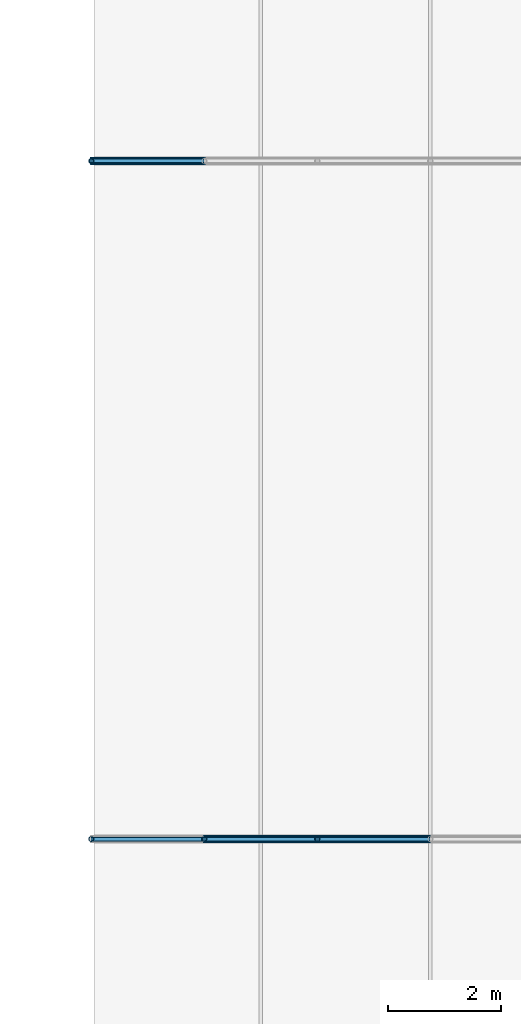
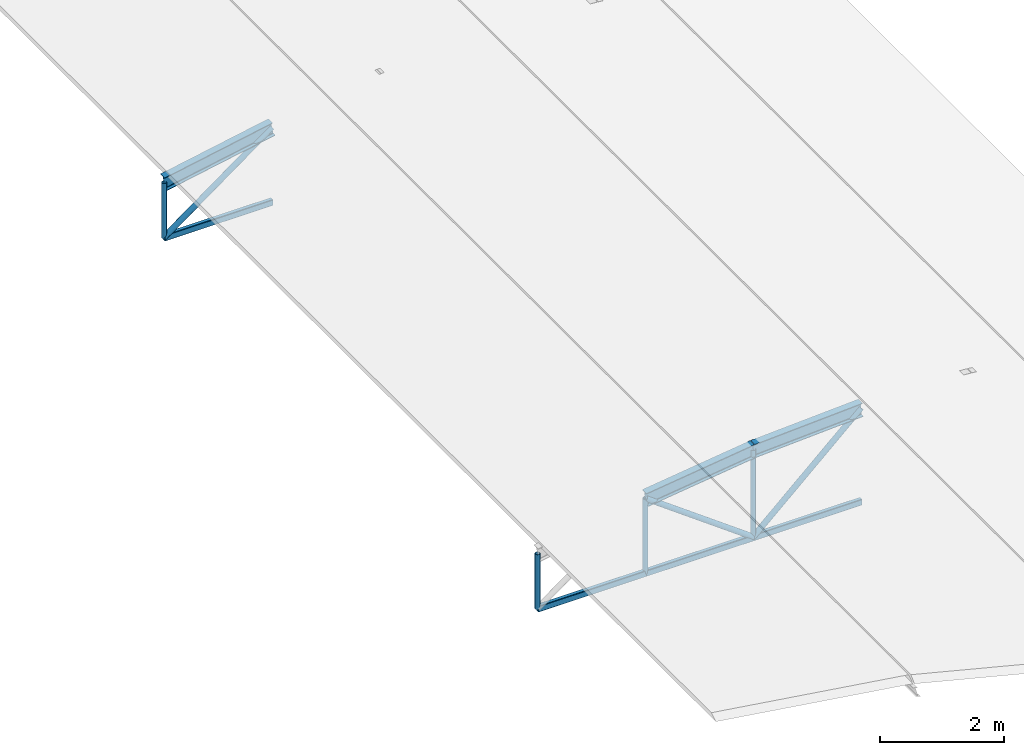
# One storey, part 28 of 54: 14 members.
"""IFC4 building model written with IfcOpenShell, lengths in metres."""

from ifc_helpers import new_model, si_unit, derived_unit, direction, frame, origin, origin_2d, place, context, subcontext, project, spatial, hollow_rectangle, hollow_circle, i_section, extrude, material, material_profile, profile_set, type_object, element, save


model = new_model("IFC4")

# Units and contexts
model_context = context("Model", 3, precision=1e-05, world=origin(), true_north=direction((0.0, 1.0)))
body_context = subcontext(model_context, "Body", "Model", "MODEL_VIEW")
ifc_project = project(units=[si_unit("LENGTHUNIT", "METRE"), si_unit("AREAUNIT", "SQUARE_METRE"), si_unit("VOLUMEUNIT", "CUBIC_METRE"), si_unit("PLANEANGLEUNIT", "RADIAN"), si_unit("MASSUNIT", "GRAM", prefix="KILO"), derived_unit("THERMALTRANSMITTANCEUNIT", [(si_unit("POWERUNIT", "WATT"), 1), (si_unit("LENGTHUNIT", "METRE"), -2), (si_unit("THERMODYNAMICTEMPERATUREUNIT", "KELVIN"), -1)])], contexts=[model_context])

# Site, building, storey
site_placement = place(None, origin())
site = spatial("IfcSite", under=ifc_project, at=site_placement, CompositionType="ELEMENT")
building_placement = place(site_placement, origin())
building = spatial("IfcBuilding", under=site, at=building_placement, Name="Keldorne Ridge Multi-Sports Centre", CompositionType="ELEMENT")
storey_placement = place(building_placement, frame((0.0, 0.0, 22.199951171875)))
storey = spatial("IfcBuildingStorey", under=building, at=storey_placement, Name="ROOF", CompositionType="ELEMENT", Elevation=22.199951171875)

# Members
ifc_material = material(Name="Steel S355", Category="steel")
ifc_material_profile_1 = material_profile(ifc_material, i_section(OverallWidth=0.135009765625, OverallDepth=0.27001953125, WebThickness=0.006591796875, FlangeThickness=0.01025390625, FilletRadius=0.014892578125, at=origin_2d()), Name="IPE 270")
ifc_profile_set_1 = profile_set([ifc_material_profile_1], Name="Steel S355")
member_type_1 = type_object("IfcMemberType", Name="MEM-RF-02", PredefinedType="RAFTER", material=ifc_profile_set_1)
member_1_placement = place(storey_placement, frame((86.0, 54.0, -12.260009765625), z_axis=(0.991654998325, 0.0, 0.128919991848), x_axis=(0.0, 1.0, 0.0)))
element("IfcMember", 1, at=member_1_placement, inside=storey, type_object=member_type_1, Name="Public Passage bowstring arch top chord 07.2", PredefinedType="RAFTER", context=body_context, shape_type="SweptSolid", body=[
    extrude(i_section(OverallWidth=0.135009765625, OverallDepth=0.27001953125, WebThickness=0.006591796875, FlangeThickness=0.01025390625, FilletRadius=0.014892578125, at=origin_2d()), origin(), (0.0, 0.0, 1.0), 2.016845703125),
])
member_2_placement = place(storey_placement, frame((88.0, 54.0, -12.0), z_axis=(0.998487980686, 0.0, 0.054970468663), x_axis=(0.0, 1.0, 0.0)))
element("IfcMember", 2, at=member_2_placement, inside=storey, type_object=member_type_1, Name="Public Passage bowstring arch top chord 07.3", PredefinedType="RAFTER", context=body_context, shape_type="SweptSolid", body=[
    extrude(i_section(OverallWidth=0.135009765625, OverallDepth=0.27001953125, WebThickness=0.006591796875, FlangeThickness=0.01025390625, FilletRadius=0.014892578125, at=origin_2d()), origin(), (0.0, 0.0, 1.0), 2.0029296875),
])
member_3_placement = place(storey_placement, frame((84.0, 66.0, -12.639892578125), z_axis=(0.982435006317, 0.0, 0.186605086649), x_axis=(0.0, 1.0, 0.0)))
element("IfcMember", 3, at=member_3_placement, inside=storey, type_object=member_type_1, Name="Public Passage bowstring arch top chord 08.1", PredefinedType="RAFTER", context=body_context, shape_type="SweptSolid", body=[
    extrude(i_section(OverallWidth=0.135009765625, OverallDepth=0.27001953125, WebThickness=0.006591796875, FlangeThickness=0.01025390625, FilletRadius=0.014892578125, at=origin_2d()), origin(), (0.0, 0.0, 1.0), 2.03564453125),
])
ifc_material_profile_2 = material_profile(ifc_material, hollow_rectangle(XDim=0.080078125, YDim=0.1201171875, WallThickness=0.008056640625, InnerFilletRadius=0.008056640625, OuterFilletRadius=0.01611328125, at=origin_2d()), Name="RHS 120x80x8")
ifc_profile_set_2 = profile_set([ifc_material_profile_2], Name="Steel S355")
member_type_2 = type_object("IfcMemberType", Name="MEM-TC-07", PredefinedType="CHORD", material=ifc_profile_set_2)
for number, where, z_axis, x_axis, name in (
    (4, (84.0, 54.0, -13.719970703125), (1.0, 0.0, 0.0), (0.0, 1.0, 0.0), "Public Passage bowstring tie chord 07.1"),
    (5, (86.0, 54.0, -13.719970703125), (1.0, 0.0, 0.0), (0.0, 1.0, 0.0), "Public Passage bowstring tie chord 07.2"),
    (6, (88.0, 54.0, -13.719970703125), (1.0, 0.0, 0.0), (0.0, 1.0, 0.0), "Public Passage bowstring tie chord 07.3"),
    (7, (84.0, 66.0, -13.719970703125), (1.0, 0.0, 0.0), (0.0, 1.0, 0.0), "Public Passage bowstring tie chord 08.1"),
):
    element("IfcMember", number, at=place(storey_placement, frame(where, z_axis=z_axis, x_axis=x_axis)), inside=storey, type_object=member_type_2, Name=name, PredefinedType="CHORD", context=body_context, shape_type="SweptSolid", body=[
        extrude(hollow_rectangle(XDim=0.080078125, YDim=0.1201171875, WallThickness=0.008056640625, InnerFilletRadius=0.008056640625, OuterFilletRadius=0.01611328125, at=origin_2d()), origin(), (0.0, 0.0, 1.0), 2.0),
    ])
ifc_material_profile_3 = material_profile(ifc_material, hollow_circle(Radius=0.05078125, WallThickness=0.00634765625, at=origin_2d()), Name="CHS 101.6x6.3")
ifc_profile_set_3 = profile_set([ifc_material_profile_3], Name="Steel S355")
member_type_3 = type_object("IfcMemberType", Name="MEM-TD-05", PredefinedType="BRACE", material=ifc_profile_set_3)
member_4_placement = place(storey_placement, frame((86.0, 54.0, -12.260009765625), z_axis=(0.8076945033, 0.0, -0.589601212125), x_axis=(0.0, 1.0, 0.0)))
element("IfcMember", 8, at=member_4_placement, inside=storey, type_object=member_type_3, Name="Public Passage bowstring web diagonal 07.2", PredefinedType="BRACE", context=body_context, shape_type="SweptSolid", body=[
    extrude(hollow_circle(Radius=0.05078125, WallThickness=0.00634765625, at=origin_2d()), origin(), (0.0, 0.0, 1.0), 2.47607421875),
])
member_5_placement = place(storey_placement, frame((88.0, 54.0, -13.719970703125), z_axis=(0.737751969913, 0.0, 0.675071870907), x_axis=(0.0, 1.0, 0.0)))
element("IfcMember", 9, at=member_5_placement, inside=storey, type_object=member_type_3, Name="Public Passage bowstring web diagonal 07.3", PredefinedType="BRACE", context=body_context, shape_type="SweptSolid", body=[
    extrude(hollow_circle(Radius=0.05078125, WallThickness=0.00634765625, at=origin_2d()), origin(), (0.0, 0.0, 1.0), 2.7109375),
])
member_6_placement = place(storey_placement, frame((84.0, 66.0, -13.719970703125), z_axis=(0.8076945033, 0.0, 0.589601212125), x_axis=(0.0, 1.0, 0.0)))
element("IfcMember", 10, at=member_6_placement, inside=storey, type_object=member_type_3, Name="Public Passage bowstring web diagonal 08.1", PredefinedType="BRACE", context=body_context, shape_type="SweptSolid", body=[
    extrude(hollow_circle(Radius=0.05078125, WallThickness=0.00634765625, at=origin_2d()), origin(), (0.0, 0.0, 1.0), 2.47607421875),
])
ifc_material_profile_4 = material_profile(ifc_material, hollow_circle(Radius=0.04443359375, WallThickness=0.0048828125, at=origin_2d()), Name="CHS 88.9x5")
ifc_profile_set_4 = profile_set([ifc_material_profile_4], Name="Steel S355")
member_type_4 = type_object("IfcMemberType", Name="MEM-TV-07", PredefinedType="STRUT", material=ifc_profile_set_4)
member_7_placement = place(storey_placement, frame((84.0, 54.0, -13.719970703125), z_axis=(0.0, 0.0, 1.0), x_axis=(1.0, 0.0, 0.0)))
element("IfcMember", 11, at=member_7_placement, inside=storey, type_object=member_type_4, Name="Public Passage bowstring hanger 07.1", PredefinedType="STRUT", context=body_context, shape_type="SweptSolid", body=[
    extrude(hollow_circle(Radius=0.04443359375, WallThickness=0.0048828125, at=origin_2d()), origin(), (0.0, 0.0, 1.0), 1.080078125),
])
member_8_placement = place(storey_placement, frame((86.0, 54.0, -13.719970703125), z_axis=(0.0, 0.0, 1.0), x_axis=(1.0, 0.0, 0.0)))
element("IfcMember", 12, at=member_8_placement, inside=storey, type_object=member_type_4, Name="Public Passage bowstring hanger 07.2", PredefinedType="STRUT", context=body_context, shape_type="SweptSolid", body=[
    extrude(hollow_circle(Radius=0.04443359375, WallThickness=0.0048828125, at=origin_2d()), origin(), (0.0, 0.0, 1.0), 1.4599609375),
])
member_9_placement = place(storey_placement, frame((88.0, 54.0, -13.719970703125), z_axis=(0.0, 0.0, 1.0), x_axis=(1.0, 0.0, 0.0)))
element("IfcMember", 13, at=member_9_placement, inside=storey, type_object=member_type_4, Name="Public Passage bowstring hanger 07.3", PredefinedType="STRUT", context=body_context, shape_type="SweptSolid", body=[
    extrude(hollow_circle(Radius=0.04443359375, WallThickness=0.0048828125, at=origin_2d()), origin(), (0.0, 0.0, 1.0), 1.719970703125),
])
member_10_placement = place(storey_placement, frame((84.0, 66.0, -13.719970703125), z_axis=(0.0, 0.0, 1.0), x_axis=(1.0, 0.0, 0.0)))
element("IfcMember", 14, at=member_10_placement, inside=storey, type_object=member_type_4, Name="Public Passage bowstring hanger 08.1", PredefinedType="STRUT", context=body_context, shape_type="SweptSolid", body=[
    extrude(hollow_circle(Radius=0.04443359375, WallThickness=0.0048828125, at=origin_2d()), origin(), (0.0, 0.0, 1.0), 1.080078125),
])

save(model, "model.ifc")
